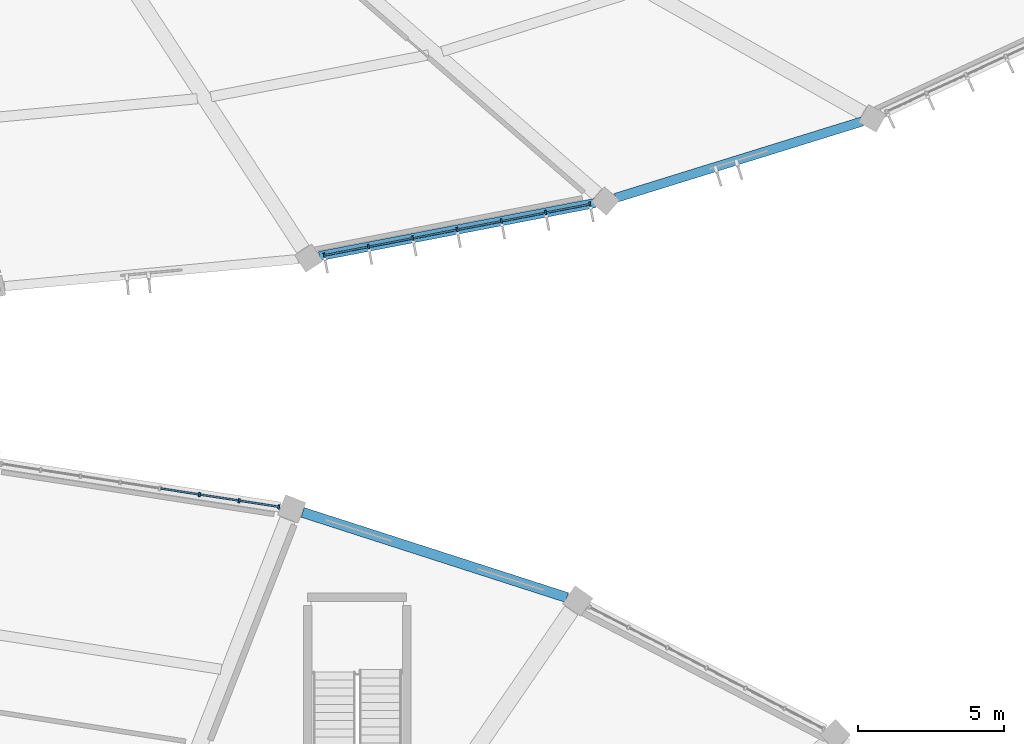
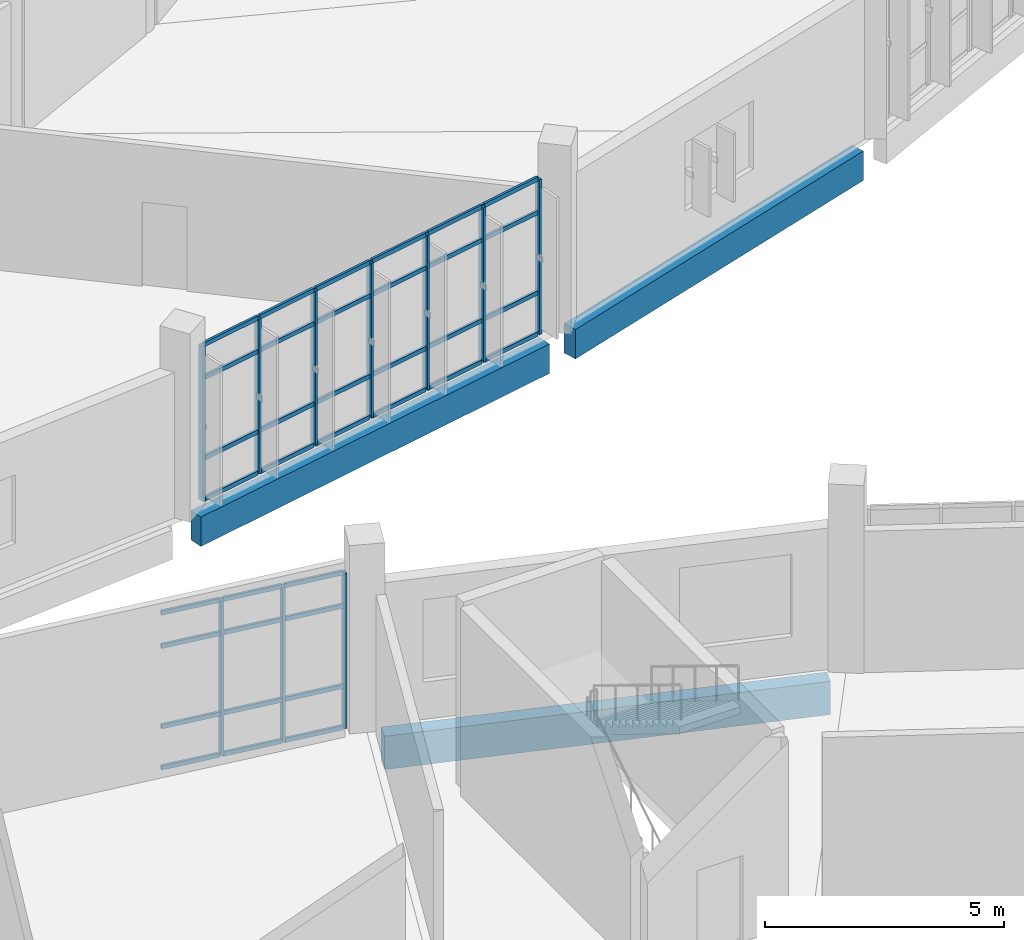
# One storey, part 62 of 179: 46 members, 3 beams, 2 elements without a shape of their own.
"""IFC4 building model written with IfcOpenShell, lengths in metres."""

from ifc_helpers import new_model, si_unit, direction, frame, origin, origin_2d, place, context, subcontext, project, spatial, rectangle, extrude, material, layer, layer_set, material_profile, profile_set, type_object, element, aggregate, save


model = new_model("IFC4")

# Units and contexts
model_context = context("Model", 3, precision=1e-05, world=origin(), true_north=direction((0.0, 1.0)))
body_context = subcontext(model_context, "Body", "Model", "MODEL_VIEW")
ifc_project = project(units=[si_unit("LENGTHUNIT", "METRE"), si_unit("AREAUNIT", "SQUARE_METRE"), si_unit("VOLUMEUNIT", "CUBIC_METRE"), si_unit("PLANEANGLEUNIT", "RADIAN"), si_unit("MASSUNIT", "GRAM", prefix="KILO")], contexts=[model_context])

# Site, building, storey
site_placement = place(None, origin())
site = spatial("IfcSite", under=ifc_project, at=site_placement, CompositionType="ELEMENT")
building_placement = place(site_placement, origin())
building = spatial("IfcBuilding", under=site, at=building_placement, Name="Corvandel Quay Wholesale Market", CompositionType="ELEMENT")
storey_placement = place(building_placement, frame((0.0, 0.0, 6.0)))
storey = spatial("IfcBuildingStorey", under=building, at=storey_placement, Name="L01", CompositionType="ELEMENT", Elevation=6.0)

# Curtain wall, members
ifc_material_1 = material(Name="Bronze anodised aluminium and low-E insulated glazing", Category="aluminium")
ifc_layer_1 = layer(ifc_material_1, 0.162109375)
ifc_layer_set_1 = layer_set([ifc_layer_1], Name="Bronze anodised aluminium and low-E insulated glazing")
curtain_wall_type_1 = type_object("IfcCurtainWallType", Name="Stick Curtain Wall System CW11 H3990", PredefinedType="NOTDEFINED", material=ifc_layer_set_1)
curtain_wall_1_placement = place(storey_placement, origin())
curtain_wall_1 = element("IfcCurtainWall", 1, at=curtain_wall_1_placement, inside=storey, type_object=curtain_wall_type_1, Name="Curtain Wall CW-0018", PredefinedType="NOTDEFINED")
ifc_material_2 = material(Name="Anodised aluminium 6063-T6", Category="aluminium")
ifc_material_profile_1 = material_profile(ifc_material_2, rectangle(XDim=0.06494140625, YDim=0.14990234375, at=origin_2d()), Name="ALU-MUL-65x150")
ifc_profile_set_1 = profile_set([ifc_material_profile_1], Name="Anodised aluminium 6063-T6")
member_type_1 = type_object("IfcMemberType", Name="Curtain Wall Mullion ML02 65x150", PredefinedType="MULLION", material=ifc_profile_set_1)
member_1_placement = place(storey_placement, frame((129.306396484375, 82.454833984375, 0.0), z_axis=(0.0, 0.0, 1.0), x_axis=(-0.98825506746, 0.152813355565, 0.0)))
member_1 = element("IfcMember", 2, at=member_1_placement, type_object=member_type_1, Name="Mullion CW-0018-M00", PredefinedType="MULLION", context=body_context, shape_type="SweptSolid", body=[
    extrude(rectangle(XDim=0.06494140625, YDim=0.14990234375, at=origin_2d()), origin(), (0.0, 0.0, 1.0), 3.949951171875),
])
member_2_placement = place(storey_placement, frame((127.943115234375, 82.665771484375, 0.0), z_axis=(0.0, 0.0, 1.0), x_axis=(-0.98825506746, 0.152813355565, 0.0)))
member_2 = element("IfcMember", 3, at=member_2_placement, type_object=member_type_1, Name="Mullion CW-0018-M01", PredefinedType="MULLION", context=body_context, shape_type="SweptSolid", body=[
    extrude(rectangle(XDim=0.06494140625, YDim=0.14990234375, at=origin_2d()), origin(), (0.0, 0.0, 1.0), 3.949951171875),
])
member_3_placement = place(storey_placement, frame((126.579833984375, 82.876708984375, 0.0), z_axis=(0.0, 0.0, 1.0), x_axis=(-0.98825506746, 0.152813355565, 0.0)))
member_3 = element("IfcMember", 4, at=member_3_placement, type_object=member_type_1, Name="Mullion CW-0018-M02", PredefinedType="MULLION", context=body_context, shape_type="SweptSolid", body=[
    extrude(rectangle(XDim=0.06494140625, YDim=0.14990234375, at=origin_2d()), origin(), (0.0, 0.0, 1.0), 3.949951171875),
])

ifc_layer_2 = layer(ifc_material_1, 0.197998046875)
ifc_layer_set_2 = layer_set([ifc_layer_2], Name="Bronze anodised aluminium and low-E insulated glazing")
curtain_wall_type_2 = type_object("IfcCurtainWallType", Name="Stick Curtain Wall System CW04 H3360", PredefinedType="NOTDEFINED", material=ifc_layer_set_2)
curtain_wall_2_placement = place(storey_placement, origin())
curtain_wall_2 = element("IfcCurtainWall", 5, at=curtain_wall_2_placement, inside=storey, type_object=curtain_wall_type_2, Name="Curtain Wall CW-0119", PredefinedType="NOTDEFINED")
member_4_placement = place(storey_placement, frame((130.865234375, 91.10107421875, 0.0), z_axis=(0.0, 0.0, 1.0), x_axis=(0.981991701121, 0.188924055984, 0.0)))
member_4 = element("IfcMember", 6, at=member_4_placement, type_object=member_type_1, Name="Mullion CW-0119-M00", PredefinedType="MULLION", context=body_context, shape_type="SweptSolid", body=[
    extrude(rectangle(XDim=0.06494140625, YDim=0.14990234375, at=origin_2d()), origin(), (0.0, 0.0, 1.0), 3.949951171875),
])
member_5_placement = place(storey_placement, frame((132.386962890625, 91.393798828125, 0.0), z_axis=(0.0, 0.0, 1.0), x_axis=(0.981991701121, 0.188924055984, 0.0)))
member_5 = element("IfcMember", 7, at=member_5_placement, type_object=member_type_1, Name="Mullion CW-0119-M01", PredefinedType="MULLION", context=body_context, shape_type="SweptSolid", body=[
    extrude(rectangle(XDim=0.06494140625, YDim=0.14990234375, at=origin_2d()), origin(), (0.0, 0.0, 1.0), 3.949951171875),
])
member_6_placement = place(storey_placement, frame((133.90869140625, 91.686279296875, 0.0), z_axis=(0.0, 0.0, 1.0), x_axis=(0.981991701121, 0.188924055984, 0.0)))
member_6 = element("IfcMember", 8, at=member_6_placement, type_object=member_type_1, Name="Mullion CW-0119-M02", PredefinedType="MULLION", context=body_context, shape_type="SweptSolid", body=[
    extrude(rectangle(XDim=0.06494140625, YDim=0.14990234375, at=origin_2d()), origin(), (0.0, 0.0, 1.0), 3.949951171875),
])
member_7_placement = place(storey_placement, frame((135.430419921875, 91.97900390625, 0.0), z_axis=(0.0, 0.0, 1.0), x_axis=(0.981991701121, 0.188924055984, 0.0)))
member_7 = element("IfcMember", 9, at=member_7_placement, type_object=member_type_1, Name="Mullion CW-0119-M03", PredefinedType="MULLION", context=body_context, shape_type="SweptSolid", body=[
    extrude(rectangle(XDim=0.06494140625, YDim=0.14990234375, at=origin_2d()), origin(), (0.0, 0.0, 1.0), 3.949951171875),
])
member_8_placement = place(storey_placement, frame((136.9521484375, 92.271728515625, 0.0), z_axis=(0.0, 0.0, 1.0), x_axis=(0.981991701121, 0.188924055984, 0.0)))
member_8 = element("IfcMember", 10, at=member_8_placement, type_object=member_type_1, Name="Mullion CW-0119-M04", PredefinedType="MULLION", context=body_context, shape_type="SweptSolid", body=[
    extrude(rectangle(XDim=0.06494140625, YDim=0.14990234375, at=origin_2d()), origin(), (0.0, 0.0, 1.0), 3.949951171875),
])
member_9_placement = place(storey_placement, frame((138.47412109375, 92.564208984375, 0.0), z_axis=(0.0, 0.0, 1.0), x_axis=(0.981991701121, 0.188924055984, 0.0)))
member_9 = element("IfcMember", 11, at=member_9_placement, type_object=member_type_1, Name="Mullion CW-0119-M05", PredefinedType="MULLION", context=body_context, shape_type="SweptSolid", body=[
    extrude(rectangle(XDim=0.06494140625, YDim=0.14990234375, at=origin_2d()), origin(), (0.0, 0.0, 1.0), 3.949951171875),
])
member_10_placement = place(storey_placement, frame((139.99560546875, 92.85693359375, 0.0), z_axis=(0.0, 0.0, 1.0), x_axis=(0.981991701121, 0.188924055984, 0.0)))
member_10 = element("IfcMember", 12, at=member_10_placement, type_object=member_type_1, Name="Mullion CW-0119-M06", PredefinedType="MULLION", context=body_context, shape_type="SweptSolid", body=[
    extrude(rectangle(XDim=0.06494140625, YDim=0.14990234375, at=origin_2d()), origin(), (0.0, 0.0, 1.0), 3.949951171875),
])

# Member
ifc_material_profile_2 = material_profile(ifc_material_2, rectangle(XDim=0.06005859375, YDim=0.110107421875, at=origin_2d()), Name="ALU-TRN-60x110")
ifc_profile_set_2 = profile_set([ifc_material_profile_2], Name="Anodised aluminium 6063-T6")
member_type_2 = type_object("IfcMemberType", Name="Curtain Wall Transom TR02 60x110", PredefinedType="USERDEFINED", material=ifc_profile_set_2)
member_11_placement = place(storey_placement, frame((129.274169921875, 82.459716796875, 0.0), z_axis=(-0.988248991474, 0.152852644237, 0.0), x_axis=(-0.152852644237, -0.988248991474, 0.0)))
member_11 = element("IfcMember", 13, at=member_11_placement, type_object=member_type_2, Name="Transom CW-0018-T00-0", ObjectType="TRANSOM", PredefinedType="USERDEFINED", context=body_context, shape_type="SweptSolid", body=[
    extrude(rectangle(XDim=0.06005859375, YDim=0.110107421875, at=origin_2d()), origin(), (0.0, 0.0, 1.0), 1.314453125),
])

member_12_placement = place(storey_placement, frame((129.274169921875, 82.459716796875, 1.050048828125), z_axis=(-0.988248991474, 0.152852644237, 0.0), x_axis=(-0.152852644237, -0.988248991474, 0.0)))
member_12 = element("IfcMember", 14, at=member_12_placement, type_object=member_type_2, Name="Transom CW-0018-T00-1", ObjectType="TRANSOM", PredefinedType="USERDEFINED", context=body_context, shape_type="SweptSolid", body=[
    extrude(rectangle(XDim=0.06005859375, YDim=0.110107421875, at=origin_2d()), origin(), (0.0, 0.0, 1.0), 1.314453125),
])

member_13_placement = place(storey_placement, frame((129.274169921875, 82.459716796875, 3.10009765625), z_axis=(-0.988248991474, 0.152852644237, 0.0), x_axis=(-0.152852644237, -0.988248991474, 0.0)))
member_13 = element("IfcMember", 15, at=member_13_placement, type_object=member_type_2, Name="Transom CW-0018-T00-2", ObjectType="TRANSOM", PredefinedType="USERDEFINED", context=body_context, shape_type="SweptSolid", body=[
    extrude(rectangle(XDim=0.06005859375, YDim=0.110107421875, at=origin_2d()), origin(), (0.0, 0.0, 1.0), 1.314453125),
])

member_14_placement = place(storey_placement, frame((129.274169921875, 82.459716796875, 3.949951171875), z_axis=(-0.988248991474, 0.152852644237, 0.0), x_axis=(-0.152852644237, -0.988248991474, 0.0)))
member_14 = element("IfcMember", 16, at=member_14_placement, type_object=member_type_2, Name="Transom CW-0018-T00-3", ObjectType="TRANSOM", PredefinedType="USERDEFINED", context=body_context, shape_type="SweptSolid", body=[
    extrude(rectangle(XDim=0.06005859375, YDim=0.110107421875, at=origin_2d()), origin(), (0.0, 0.0, 1.0), 1.314453125),
])

member_15_placement = place(storey_placement, frame((127.910888671875, 82.670654296875, 0.0), z_axis=(-0.988244650986, 0.152880704466, 0.0), x_axis=(-0.152880704466, -0.988244650986, 0.0)))
member_15 = element("IfcMember", 17, at=member_15_placement, type_object=member_type_2, Name="Transom CW-0018-T01-0", ObjectType="TRANSOM", PredefinedType="USERDEFINED", context=body_context, shape_type="SweptSolid", body=[
    extrude(rectangle(XDim=0.06005859375, YDim=0.110107421875, at=origin_2d()), origin(), (0.0, 0.0, 1.0), 1.314208984375),
])

member_16_placement = place(storey_placement, frame((127.910888671875, 82.670654296875, 1.050048828125), z_axis=(-0.988244650986, 0.152880704466, 0.0), x_axis=(-0.152880704466, -0.988244650986, 0.0)))
member_16 = element("IfcMember", 18, at=member_16_placement, type_object=member_type_2, Name="Transom CW-0018-T01-1", ObjectType="TRANSOM", PredefinedType="USERDEFINED", context=body_context, shape_type="SweptSolid", body=[
    extrude(rectangle(XDim=0.06005859375, YDim=0.110107421875, at=origin_2d()), origin(), (0.0, 0.0, 1.0), 1.314208984375),
])

member_17_placement = place(storey_placement, frame((127.910888671875, 82.670654296875, 3.10009765625), z_axis=(-0.988244650986, 0.152880704466, 0.0), x_axis=(-0.152880704466, -0.988244650986, 0.0)))
member_17 = element("IfcMember", 19, at=member_17_placement, type_object=member_type_2, Name="Transom CW-0018-T01-2", ObjectType="TRANSOM", PredefinedType="USERDEFINED", context=body_context, shape_type="SweptSolid", body=[
    extrude(rectangle(XDim=0.06005859375, YDim=0.110107421875, at=origin_2d()), origin(), (0.0, 0.0, 1.0), 1.314208984375),
])

member_18_placement = place(storey_placement, frame((127.910888671875, 82.670654296875, 3.949951171875), z_axis=(-0.988244650986, 0.152880704466, 0.0), x_axis=(-0.152880704466, -0.988244650986, 0.0)))
member_18 = element("IfcMember", 20, at=member_18_placement, type_object=member_type_2, Name="Transom CW-0018-T01-3", ObjectType="TRANSOM", PredefinedType="USERDEFINED", context=body_context, shape_type="SweptSolid", body=[
    extrude(rectangle(XDim=0.06005859375, YDim=0.110107421875, at=origin_2d()), origin(), (0.0, 0.0, 1.0), 1.314208984375),
])

member_19_placement = place(storey_placement, frame((126.547607421875, 82.881591796875, 0.0), z_axis=(-0.988244650986, 0.152880704466, 0.0), x_axis=(-0.152880704466, -0.988244650986, 0.0)))
member_19 = element("IfcMember", 21, at=member_19_placement, type_object=member_type_2, Name="Transom CW-0018-T02-0", ObjectType="TRANSOM", PredefinedType="USERDEFINED", context=body_context, shape_type="SweptSolid", body=[
    extrude(rectangle(XDim=0.06005859375, YDim=0.110107421875, at=origin_2d()), origin(), (0.0, 0.0, 1.0), 1.314208984375),
])

member_20_placement = place(storey_placement, frame((126.547607421875, 82.881591796875, 1.050048828125), z_axis=(-0.988244650986, 0.152880704466, 0.0), x_axis=(-0.152880704466, -0.988244650986, 0.0)))
member_20 = element("IfcMember", 22, at=member_20_placement, type_object=member_type_2, Name="Transom CW-0018-T02-1", ObjectType="TRANSOM", PredefinedType="USERDEFINED", context=body_context, shape_type="SweptSolid", body=[
    extrude(rectangle(XDim=0.06005859375, YDim=0.110107421875, at=origin_2d()), origin(), (0.0, 0.0, 1.0), 1.314208984375),
])

member_21_placement = place(storey_placement, frame((126.547607421875, 82.881591796875, 3.10009765625), z_axis=(-0.988244650986, 0.152880704466, 0.0), x_axis=(-0.152880704466, -0.988244650986, 0.0)))
member_21 = element("IfcMember", 23, at=member_21_placement, type_object=member_type_2, Name="Transom CW-0018-T02-2", ObjectType="TRANSOM", PredefinedType="USERDEFINED", context=body_context, shape_type="SweptSolid", body=[
    extrude(rectangle(XDim=0.06005859375, YDim=0.110107421875, at=origin_2d()), origin(), (0.0, 0.0, 1.0), 1.314208984375),
])

member_22_placement = place(storey_placement, frame((126.547607421875, 82.881591796875, 3.949951171875), z_axis=(-0.988244650986, 0.152880704466, 0.0), x_axis=(-0.152880704466, -0.988244650986, 0.0)))
member_22 = element("IfcMember", 24, at=member_22_placement, type_object=member_type_2, Name="Transom CW-0018-T02-3", ObjectType="TRANSOM", PredefinedType="USERDEFINED", context=body_context, shape_type="SweptSolid", body=[
    extrude(rectangle(XDim=0.06005859375, YDim=0.110107421875, at=origin_2d()), origin(), (0.0, 0.0, 1.0), 1.314208984375),
])

aggregate(curtain_wall_1, [member_1, member_2, member_3, member_11, member_12, member_13, member_14, member_15, member_16, member_17, member_18, member_19, member_20, member_21, member_22])

member_23_placement = place(storey_placement, frame((130.897216796875, 91.107177734375, 0.0), z_axis=(0.982014657523, 0.188804693826, 0.0), x_axis=(-0.188804693826, 0.982014657523, 0.0)))
member_23 = element("IfcMember", 25, at=member_23_placement, type_object=member_type_2, Name="Transom CW-0119-T00-0", ObjectType="TRANSOM", PredefinedType="USERDEFINED", context=body_context, shape_type="SweptSolid", body=[
    extrude(rectangle(XDim=0.06005859375, YDim=0.110107421875, at=origin_2d()), origin(), (0.0, 0.0, 1.0), 1.484375),
])

member_24_placement = place(storey_placement, frame((130.897216796875, 91.107177734375, 1.050048828125), z_axis=(0.982014657523, 0.188804693826, 0.0), x_axis=(-0.188804693826, 0.982014657523, 0.0)))
member_24 = element("IfcMember", 26, at=member_24_placement, type_object=member_type_2, Name="Transom CW-0119-T00-1", ObjectType="TRANSOM", PredefinedType="USERDEFINED", context=body_context, shape_type="SweptSolid", body=[
    extrude(rectangle(XDim=0.06005859375, YDim=0.110107421875, at=origin_2d()), origin(), (0.0, 0.0, 1.0), 1.484375),
])

member_25_placement = place(storey_placement, frame((130.897216796875, 91.107177734375, 3.10009765625), z_axis=(0.982014657523, 0.188804693826, 0.0), x_axis=(-0.188804693826, 0.982014657523, 0.0)))
member_25 = element("IfcMember", 27, at=member_25_placement, type_object=member_type_2, Name="Transom CW-0119-T00-2", ObjectType="TRANSOM", PredefinedType="USERDEFINED", context=body_context, shape_type="SweptSolid", body=[
    extrude(rectangle(XDim=0.06005859375, YDim=0.110107421875, at=origin_2d()), origin(), (0.0, 0.0, 1.0), 1.484375),
])

member_26_placement = place(storey_placement, frame((130.897216796875, 91.107177734375, 3.949951171875), z_axis=(0.982014657523, 0.188804693826, 0.0), x_axis=(-0.188804693826, 0.982014657523, 0.0)))
member_26 = element("IfcMember", 28, at=member_26_placement, type_object=member_type_2, Name="Transom CW-0119-T00-3", ObjectType="TRANSOM", PredefinedType="USERDEFINED", context=body_context, shape_type="SweptSolid", body=[
    extrude(rectangle(XDim=0.06005859375, YDim=0.110107421875, at=origin_2d()), origin(), (0.0, 0.0, 1.0), 1.484375),
])

member_27_placement = place(storey_placement, frame((132.4189453125, 91.39990234375, 0.0), z_axis=(0.982020518786, 0.188774205554, 0.0), x_axis=(-0.188774205554, 0.982020518786, 0.0)))
member_27 = element("IfcMember", 29, at=member_27_placement, type_object=member_type_2, Name="Transom CW-0119-T01-0", ObjectType="TRANSOM", PredefinedType="USERDEFINED", context=body_context, shape_type="SweptSolid", body=[
    extrude(rectangle(XDim=0.06005859375, YDim=0.110107421875, at=origin_2d()), origin(), (0.0, 0.0, 1.0), 1.484619140625),
])

member_28_placement = place(storey_placement, frame((132.4189453125, 91.39990234375, 1.050048828125), z_axis=(0.982020518786, 0.188774205554, 0.0), x_axis=(-0.188774205554, 0.982020518786, 0.0)))
member_28 = element("IfcMember", 30, at=member_28_placement, type_object=member_type_2, Name="Transom CW-0119-T01-1", ObjectType="TRANSOM", PredefinedType="USERDEFINED", context=body_context, shape_type="SweptSolid", body=[
    extrude(rectangle(XDim=0.06005859375, YDim=0.110107421875, at=origin_2d()), origin(), (0.0, 0.0, 1.0), 1.484619140625),
])

member_29_placement = place(storey_placement, frame((132.4189453125, 91.39990234375, 3.10009765625), z_axis=(0.982020518786, 0.188774205554, 0.0), x_axis=(-0.188774205554, 0.982020518786, 0.0)))
member_29 = element("IfcMember", 31, at=member_29_placement, type_object=member_type_2, Name="Transom CW-0119-T01-2", ObjectType="TRANSOM", PredefinedType="USERDEFINED", context=body_context, shape_type="SweptSolid", body=[
    extrude(rectangle(XDim=0.06005859375, YDim=0.110107421875, at=origin_2d()), origin(), (0.0, 0.0, 1.0), 1.484619140625),
])

member_30_placement = place(storey_placement, frame((132.4189453125, 91.39990234375, 3.949951171875), z_axis=(0.982020518786, 0.188774205554, 0.0), x_axis=(-0.188774205554, 0.982020518786, 0.0)))
member_30 = element("IfcMember", 32, at=member_30_placement, type_object=member_type_2, Name="Transom CW-0119-T01-3", ObjectType="TRANSOM", PredefinedType="USERDEFINED", context=body_context, shape_type="SweptSolid", body=[
    extrude(rectangle(XDim=0.06005859375, YDim=0.110107421875, at=origin_2d()), origin(), (0.0, 0.0, 1.0), 1.484619140625),
])

member_31_placement = place(storey_placement, frame((133.940673828125, 91.6923828125, 0.0), z_axis=(0.98199002349, 0.188932775785, 0.0), x_axis=(-0.188932775785, 0.98199002349, 0.0)))
member_31 = element("IfcMember", 33, at=member_31_placement, type_object=member_type_2, Name="Transom CW-0119-T02-0", ObjectType="TRANSOM", PredefinedType="USERDEFINED", context=body_context, shape_type="SweptSolid", body=[
    extrude(rectangle(XDim=0.06005859375, YDim=0.110107421875, at=origin_2d()), origin(), (0.0, 0.0, 1.0), 1.48486328125),
])

member_32_placement = place(storey_placement, frame((133.940673828125, 91.6923828125, 1.050048828125), z_axis=(0.98199002349, 0.188932775785, 0.0), x_axis=(-0.188932775785, 0.98199002349, 0.0)))
member_32 = element("IfcMember", 34, at=member_32_placement, type_object=member_type_2, Name="Transom CW-0119-T02-1", ObjectType="TRANSOM", PredefinedType="USERDEFINED", context=body_context, shape_type="SweptSolid", body=[
    extrude(rectangle(XDim=0.06005859375, YDim=0.110107421875, at=origin_2d()), origin(), (0.0, 0.0, 1.0), 1.48486328125),
])

member_33_placement = place(storey_placement, frame((133.940673828125, 91.6923828125, 3.10009765625), z_axis=(0.98199002349, 0.188932775785, 0.0), x_axis=(-0.188932775785, 0.98199002349, 0.0)))
member_33 = element("IfcMember", 35, at=member_33_placement, type_object=member_type_2, Name="Transom CW-0119-T02-2", ObjectType="TRANSOM", PredefinedType="USERDEFINED", context=body_context, shape_type="SweptSolid", body=[
    extrude(rectangle(XDim=0.06005859375, YDim=0.110107421875, at=origin_2d()), origin(), (0.0, 0.0, 1.0), 1.48486328125),
])

member_34_placement = place(storey_placement, frame((133.940673828125, 91.6923828125, 3.949951171875), z_axis=(0.98199002349, 0.188932775785, 0.0), x_axis=(-0.188932775785, 0.98199002349, 0.0)))
member_34 = element("IfcMember", 36, at=member_34_placement, type_object=member_type_2, Name="Transom CW-0119-T02-3", ObjectType="TRANSOM", PredefinedType="USERDEFINED", context=body_context, shape_type="SweptSolid", body=[
    extrude(rectangle(XDim=0.06005859375, YDim=0.110107421875, at=origin_2d()), origin(), (0.0, 0.0, 1.0), 1.48486328125),
])

member_35_placement = place(storey_placement, frame((135.46240234375, 91.985107421875, 0.0), z_axis=(0.982020518786, 0.188774205554, 0.0), x_axis=(-0.188774205554, 0.982020518786, 0.0)))
member_35 = element("IfcMember", 37, at=member_35_placement, type_object=member_type_2, Name="Transom CW-0119-T03-0", ObjectType="TRANSOM", PredefinedType="USERDEFINED", context=body_context, shape_type="SweptSolid", body=[
    extrude(rectangle(XDim=0.06005859375, YDim=0.110107421875, at=origin_2d()), origin(), (0.0, 0.0, 1.0), 1.484619140625),
])

member_36_placement = place(storey_placement, frame((135.46240234375, 91.985107421875, 1.050048828125), z_axis=(0.982020518786, 0.188774205554, 0.0), x_axis=(-0.188774205554, 0.982020518786, 0.0)))
member_36 = element("IfcMember", 38, at=member_36_placement, type_object=member_type_2, Name="Transom CW-0119-T03-1", ObjectType="TRANSOM", PredefinedType="USERDEFINED", context=body_context, shape_type="SweptSolid", body=[
    extrude(rectangle(XDim=0.06005859375, YDim=0.110107421875, at=origin_2d()), origin(), (0.0, 0.0, 1.0), 1.484619140625),
])

member_37_placement = place(storey_placement, frame((135.46240234375, 91.985107421875, 3.10009765625), z_axis=(0.982020518786, 0.188774205554, 0.0), x_axis=(-0.188774205554, 0.982020518786, 0.0)))
member_37 = element("IfcMember", 39, at=member_37_placement, type_object=member_type_2, Name="Transom CW-0119-T03-2", ObjectType="TRANSOM", PredefinedType="USERDEFINED", context=body_context, shape_type="SweptSolid", body=[
    extrude(rectangle(XDim=0.06005859375, YDim=0.110107421875, at=origin_2d()), origin(), (0.0, 0.0, 1.0), 1.484619140625),
])

member_38_placement = place(storey_placement, frame((135.46240234375, 91.985107421875, 3.949951171875), z_axis=(0.982020518786, 0.188774205554, 0.0), x_axis=(-0.188774205554, 0.982020518786, 0.0)))
member_38 = element("IfcMember", 40, at=member_38_placement, type_object=member_type_2, Name="Transom CW-0119-T03-3", ObjectType="TRANSOM", PredefinedType="USERDEFINED", context=body_context, shape_type="SweptSolid", body=[
    extrude(rectangle(XDim=0.06005859375, YDim=0.110107421875, at=origin_2d()), origin(), (0.0, 0.0, 1.0), 1.484619140625),
])

member_39_placement = place(storey_placement, frame((136.984130859375, 92.27783203125, 0.0), z_axis=(0.982020518786, 0.188774205554, 0.0), x_axis=(-0.188774205554, 0.982020518786, 0.0)))
member_39 = element("IfcMember", 41, at=member_39_placement, type_object=member_type_2, Name="Transom CW-0119-T04-0", ObjectType="TRANSOM", PredefinedType="USERDEFINED", context=body_context, shape_type="SweptSolid", body=[
    extrude(rectangle(XDim=0.06005859375, YDim=0.110107421875, at=origin_2d()), origin(), (0.0, 0.0, 1.0), 1.484619140625),
])

member_40_placement = place(storey_placement, frame((136.984130859375, 92.27783203125, 1.050048828125), z_axis=(0.982020518786, 0.188774205554, 0.0), x_axis=(-0.188774205554, 0.982020518786, 0.0)))
member_40 = element("IfcMember", 42, at=member_40_placement, type_object=member_type_2, Name="Transom CW-0119-T04-1", ObjectType="TRANSOM", PredefinedType="USERDEFINED", context=body_context, shape_type="SweptSolid", body=[
    extrude(rectangle(XDim=0.06005859375, YDim=0.110107421875, at=origin_2d()), origin(), (0.0, 0.0, 1.0), 1.484619140625),
])

member_41_placement = place(storey_placement, frame((136.984130859375, 92.27783203125, 3.10009765625), z_axis=(0.982020518786, 0.188774205554, 0.0), x_axis=(-0.188774205554, 0.982020518786, 0.0)))
member_41 = element("IfcMember", 43, at=member_41_placement, type_object=member_type_2, Name="Transom CW-0119-T04-2", ObjectType="TRANSOM", PredefinedType="USERDEFINED", context=body_context, shape_type="SweptSolid", body=[
    extrude(rectangle(XDim=0.06005859375, YDim=0.110107421875, at=origin_2d()), origin(), (0.0, 0.0, 1.0), 1.484619140625),
])

member_42_placement = place(storey_placement, frame((136.984130859375, 92.27783203125, 3.949951171875), z_axis=(0.982020518786, 0.188774205554, 0.0), x_axis=(-0.188774205554, 0.982020518786, 0.0)))
member_42 = element("IfcMember", 44, at=member_42_placement, type_object=member_type_2, Name="Transom CW-0119-T04-3", ObjectType="TRANSOM", PredefinedType="USERDEFINED", context=body_context, shape_type="SweptSolid", body=[
    extrude(rectangle(XDim=0.06005859375, YDim=0.110107421875, at=origin_2d()), origin(), (0.0, 0.0, 1.0), 1.484619140625),
])

member_43_placement = place(storey_placement, frame((138.505859375, 92.570556640625, 0.0), z_axis=(0.982020518786, 0.188774205554, 0.0), x_axis=(-0.188774205554, 0.982020518786, 0.0)))
member_43 = element("IfcMember", 45, at=member_43_placement, type_object=member_type_2, Name="Transom CW-0119-T05-0", ObjectType="TRANSOM", PredefinedType="USERDEFINED", context=body_context, shape_type="SweptSolid", body=[
    extrude(rectangle(XDim=0.06005859375, YDim=0.110107421875, at=origin_2d()), origin(), (0.0, 0.0, 1.0), 1.484619140625),
])

member_44_placement = place(storey_placement, frame((138.505859375, 92.570556640625, 1.050048828125), z_axis=(0.982020518786, 0.188774205554, 0.0), x_axis=(-0.188774205554, 0.982020518786, 0.0)))
member_44 = element("IfcMember", 46, at=member_44_placement, type_object=member_type_2, Name="Transom CW-0119-T05-1", ObjectType="TRANSOM", PredefinedType="USERDEFINED", context=body_context, shape_type="SweptSolid", body=[
    extrude(rectangle(XDim=0.06005859375, YDim=0.110107421875, at=origin_2d()), origin(), (0.0, 0.0, 1.0), 1.484619140625),
])

member_45_placement = place(storey_placement, frame((138.505859375, 92.570556640625, 3.10009765625), z_axis=(0.982020518786, 0.188774205554, 0.0), x_axis=(-0.188774205554, 0.982020518786, 0.0)))
member_45 = element("IfcMember", 47, at=member_45_placement, type_object=member_type_2, Name="Transom CW-0119-T05-2", ObjectType="TRANSOM", PredefinedType="USERDEFINED", context=body_context, shape_type="SweptSolid", body=[
    extrude(rectangle(XDim=0.06005859375, YDim=0.110107421875, at=origin_2d()), origin(), (0.0, 0.0, 1.0), 1.484619140625),
])

member_46_placement = place(storey_placement, frame((138.505859375, 92.570556640625, 3.949951171875), z_axis=(0.982020518786, 0.188774205554, 0.0), x_axis=(-0.188774205554, 0.982020518786, 0.0)))
member_46 = element("IfcMember", 48, at=member_46_placement, type_object=member_type_2, Name="Transom CW-0119-T05-3", ObjectType="TRANSOM", PredefinedType="USERDEFINED", context=body_context, shape_type="SweptSolid", body=[
    extrude(rectangle(XDim=0.06005859375, YDim=0.110107421875, at=origin_2d()), origin(), (0.0, 0.0, 1.0), 1.484619140625),
])

aggregate(curtain_wall_2, [member_4, member_5, member_6, member_7, member_8, member_9, member_10, member_23, member_24, member_25, member_26, member_27, member_28, member_29, member_30, member_31, member_32, member_33, member_34, member_35, member_36, member_37, member_38, member_39, member_40, member_41, member_42, member_43, member_44, member_45, member_46])

# Beams
ifc_material_3 = material(Name="Precast concrete C45/55", Category="concrete")
ifc_material_profile_3 = material_profile(ifc_material_3, rectangle(XDim=0.320068359375, YDim=0.75, at=origin_2d()), Name="PC-SPN-320x750")
ifc_profile_set_3 = profile_set([ifc_material_profile_3], Name="Precast concrete C45/55")
beam_type_1 = type_object("IfcBeamType", Name="Pavilion Precast Spandrel SP02 320x750", PredefinedType="SPANDREL", material=ifc_profile_set_3)
beam_1_placement = place(storey_placement, frame((130.6982421875, 91.06884765625, -0.655029296875), z_axis=(0.982001748962, 0.188871821706, 0.0), x_axis=(-0.188871821706, 0.982001748962, 0.0)))
element("IfcBeam", 49, at=beam_1_placement, inside=storey, type_object=beam_type_1, Name="Beam BM-0705", PredefinedType="SPANDREL", context=body_context, shape_type="SweptSolid", body=[
    extrude(rectangle(XDim=0.320068359375, YDim=0.75, at=origin_2d()), origin(), (0.0, 0.0, 1.0), 9.637939453125),
])
beam_2_placement = place(storey_placement, frame((140.87939453125, 93.068603515625, -0.655029296875), z_axis=(0.955107686462, 0.296258851784, 0.0), x_axis=(-0.296258851784, 0.955107686462, 0.0)))
element("IfcBeam", 50, at=beam_2_placement, inside=storey, type_object=beam_type_1, Name="Beam BM-0715", PredefinedType="SPANDREL", context=body_context, shape_type="SweptSolid", body=[
    extrude(rectangle(XDim=0.320068359375, YDim=0.75, at=origin_2d()), origin(), (0.0, 0.0, 1.0), 8.863037109375),
])
ifc_material_profile_4 = material_profile(ifc_material_3, rectangle(XDim=0.35009765625, YDim=0.85009765625, at=origin_2d()), Name="PC-SPN-350x850")
ifc_profile_set_4 = profile_set([ifc_material_profile_4], Name="Precast concrete C45/55")
beam_type_2 = type_object("IfcBeamType", Name="Perimeter Precast Spandrel SP01 350x850", PredefinedType="SPANDREL", material=ifc_profile_set_4)
beam_3_placement = place(storey_placement, frame((139.202880859375, 79.341064453125, -0.72509765625), z_axis=(-0.95182775773, 0.306633200446, 0.0), x_axis=(-0.306633200446, -0.95182775773, 0.0)))
element("IfcBeam", 51, at=beam_3_placement, inside=storey, type_object=beam_type_2, Name="Beam BM-0066", PredefinedType="SPANDREL", context=body_context, shape_type="SweptSolid", body=[
    extrude(rectangle(XDim=0.35009765625, YDim=0.85009765625, at=origin_2d()), origin(), (0.0, 0.0, 1.0), 9.53515625),
])

save(model, "model.ifc")
